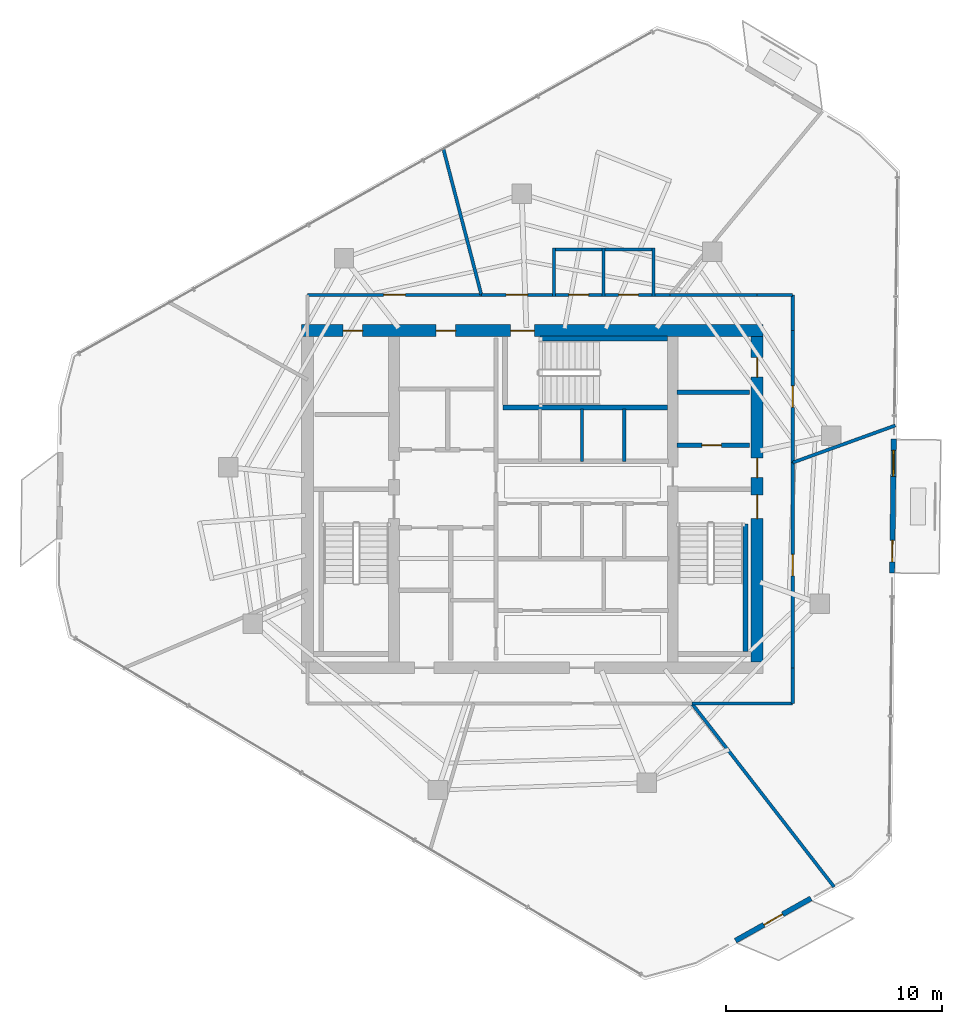
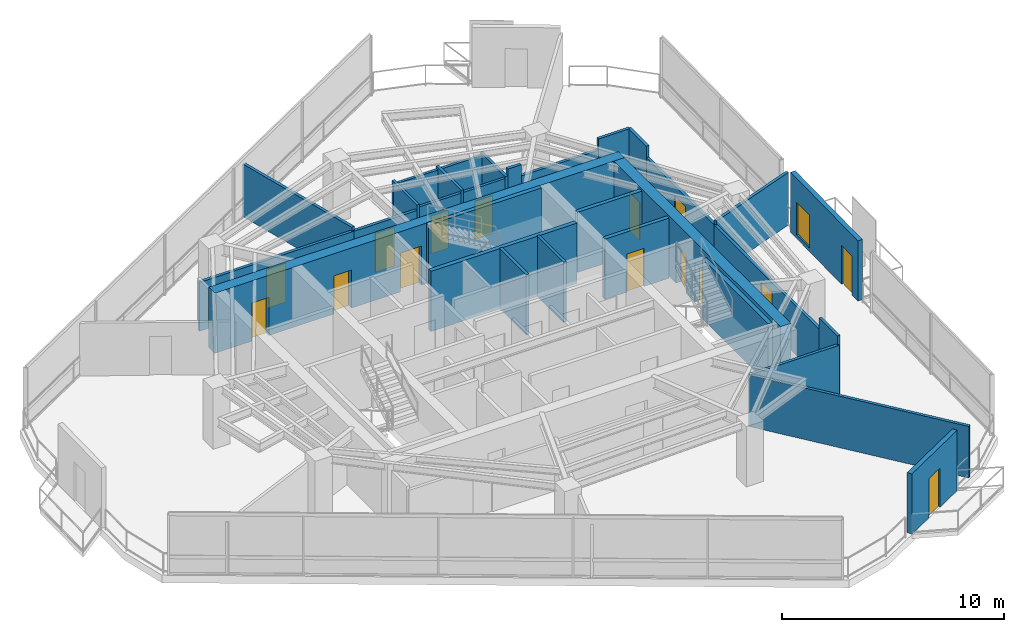
# One storey, part 15 of 18: 31 walls, 15 doors, 1 window, 16 openings.
"""IFC4 building model written with IfcOpenShell, lengths in metres."""

from ifc_helpers import new_model, si_unit, direction, frame, frame_2d, origin, place, context, subcontext, project, spatial, rectangle, extrude, material, layer, layer_set, type_object, element, fill, save


model = new_model("IFC4")

# Units and contexts
model_context = context("Model", 3, precision=1e-05, world=origin(), true_north=direction((0.0, 1.0)))
body_context = subcontext(model_context, "Body", "Model", "MODEL_VIEW")
ifc_project = project(units=[si_unit("LENGTHUNIT", "METRE"), si_unit("AREAUNIT", "SQUARE_METRE"), si_unit("VOLUMEUNIT", "CUBIC_METRE"), si_unit("PLANEANGLEUNIT", "RADIAN"), si_unit("MASSUNIT", "GRAM", prefix="KILO")], contexts=[model_context])

# Site, building, storey
site_placement = place(None, origin())
site = spatial("IfcSite", under=ifc_project, at=site_placement, CompositionType="ELEMENT")
building_placement = place(site_placement, origin())
building = spatial("IfcBuilding", under=site, at=building_placement, Name="Qarnah Convention Tower", CompositionType="ELEMENT")
storey_placement = place(building_placement, frame((0.0, 0.0, 177.0)))
storey = spatial("IfcBuildingStorey", under=building, at=storey_placement, Name="L47", CompositionType="ELEMENT", Elevation=177.0)

# Wall, openings, doors
ifc_material_1 = material(Name="Concrete C60/75", Category="concrete")
ifc_layer_1 = layer(ifc_material_1, 0.550048828125)
ifc_layer_set_1 = layer_set([ifc_layer_1], Name="Concrete C60/75")
wall_type_1 = type_object("IfcWallType", Name="WL-CORE-550", PredefinedType="SHEAR", material=ifc_layer_set_1)
wall_1_placement = place(storey_placement, frame((26.52490234375, 34.199951171875, 0.0), z_axis=(0.0, 0.0, 1.0), x_axis=(1.0, 0.0, 0.0)))
wall_1 = element("IfcWall", 1, at=wall_1_placement, inside=storey, type_object=wall_type_1, Name="L47 core north shear wall", PredefinedType="SHEAR", context=body_context, shape_type="SweptSolid", body=[
    extrude(rectangle(XDim=21.35009765625, YDim=0.550048828125, at=frame_2d((10.675048828125, 0.0))), origin(), (0.0, 0.0, 1.0), 3.320068359375),
])
opening_1_placement = place(wall_1_placement, frame((9.675048828125, 0.0, 0.0)))
opening_1 = element("IfcOpeningElement", 2, at=opening_1_placement, cuts=wall_1, Name="Opening D-4703", PredefinedType="OPENING", context=body_context, shape_type="SweptSolid", body=[
    extrude(rectangle(XDim=1.10009765625, YDim=2.14990234375, at=frame_2d((0.550048828125, 1.074951171875))), frame((0.0, 0.284912109375, 0.0), z_axis=(0.0, -1.0, 0.0), x_axis=(1.0, 0.0, 0.0)), (0.0, 0.0, 1.0), 0.570068359375),
])
opening_2_placement = place(wall_1_placement, frame((1.925048828125, 0.0, 0.0)))
opening_2 = element("IfcOpeningElement", 3, at=opening_2_placement, cuts=wall_1, Name="Opening D-4709", PredefinedType="OPENING", context=body_context, shape_type="SweptSolid", body=[
    extrude(rectangle(XDim=0.89990234375, YDim=2.10009765625, at=frame_2d((0.449951171875, 1.050048828125))), frame((0.0, 0.284912109375, 0.0), z_axis=(0.0, -1.0, 0.0), x_axis=(1.0, 0.0, 0.0)), (0.0, 0.0, 1.0), 0.570068359375),
])
opening_3_placement = place(wall_1_placement, frame((6.22509765625, 0.0, 0.0)))
opening_3 = element("IfcOpeningElement", 4, at=opening_3_placement, cuts=wall_1, Name="Opening D-4710", PredefinedType="OPENING", context=body_context, shape_type="SweptSolid", body=[
    extrude(rectangle(XDim=0.89990234375, YDim=2.10009765625, at=frame_2d((0.449951171875, 1.050048828125))), frame((0.0, 0.284912109375, 0.0), z_axis=(0.0, -1.0, 0.0), x_axis=(1.0, 0.0, 0.0)), (0.0, 0.0, 1.0), 0.570068359375),
])
ifc_material_2 = material(Name="Structural steel S355JR", Category="steel")
door_type_1 = type_object("IfcDoorType", Name="DT-RISER-900", OperationType="NOTDEFINED", PredefinedType="DOOR", material=ifc_material_2)
door_1_placement = place(opening_2_placement, origin())
door_1 = element("IfcDoor", 5, at=door_1_placement, inside=storey, type_object=door_type_1, Name="Door D-4709", OperationType="SINGLE_SWING_RIGHT", OverallHeight=2.10009765625, OverallWidth=0.89990234375, PredefinedType="DOOR", context=body_context, shape_type="SweptSolid", body=[
    extrude(rectangle(XDim=0.89990234375, YDim=2.10009765625, at=frame_2d((0.449951171875, 1.050048828125))), frame((0.0, 0.02490234375, 0.0), z_axis=(0.0, -1.0, 0.0), x_axis=(1.0, 0.0, 0.0)), (0.0, 0.0, 1.0), 0.050048828125),
])
fill(opening_2, door_1)
door_2_placement = place(opening_3_placement, origin())
door_2 = element("IfcDoor", 6, at=door_2_placement, inside=storey, type_object=door_type_1, Name="Door D-4710", OperationType="SINGLE_SWING_LEFT", OverallHeight=2.10009765625, OverallWidth=0.89990234375, PredefinedType="DOOR", context=body_context, shape_type="SweptSolid", body=[
    extrude(rectangle(XDim=0.89990234375, YDim=2.10009765625, at=frame_2d((0.449951171875, 1.050048828125))), frame((0.0, 0.02490234375, 0.0), z_axis=(0.0, -1.0, 0.0), x_axis=(1.0, 0.0, 0.0)), (0.0, 0.0, 1.0), 0.050048828125),
])
fill(opening_3, door_2)
door_type_2 = type_object("IfcDoorType", Name="DT-STAIR-1100", OperationType="NOTDEFINED", PredefinedType="DOOR", material=ifc_material_2)
door_3_placement = place(opening_1_placement, origin())
door_3 = element("IfcDoor", 7, at=door_3_placement, inside=storey, type_object=door_type_2, Name="Door D-4703", OperationType="SINGLE_SWING_RIGHT", OverallHeight=2.14990234375, OverallWidth=1.10009765625, PredefinedType="DOOR", context=body_context, shape_type="SweptSolid", body=[
    extrude(rectangle(XDim=1.10009765625, YDim=2.14990234375, at=frame_2d((0.550048828125, 1.074951171875))), frame((0.0, 0.02490234375, 0.0), z_axis=(0.0, -1.0, 0.0), x_axis=(1.0, 0.0, 0.0)), (0.0, 0.0, 1.0), 0.050048828125),
])
fill(opening_1, door_3)

wall_2_placement = place(storey_placement, frame((47.60009765625, 18.875, 0.0), z_axis=(0.0, 0.0, 1.0), x_axis=(0.0, 1.0, 0.0)))
wall_2 = element("IfcWall", 8, at=wall_2_placement, inside=storey, type_object=wall_type_1, Name="L47 core east shear wall", PredefinedType="SHEAR", context=body_context, shape_type="SweptSolid", body=[
    extrude(rectangle(XDim=15.050048828125, YDim=0.550048828125, at=frame_2d((7.52490234375, 0.0))), origin(), (0.0, 0.0, 1.0), 3.320068359375),
])
opening_4_placement = place(wall_2_placement, frame((6.625, 0.0, 0.0)))
opening_4 = element("IfcOpeningElement", 9, at=opening_4_placement, cuts=wall_2, Name="Opening D-4702", PredefinedType="OPENING", context=body_context, shape_type="SweptSolid", body=[
    extrude(rectangle(XDim=1.10009765625, YDim=2.14990234375, at=frame_2d((0.550048828125, 1.074951171875))), frame((0.0, 0.284912109375, 0.0), z_axis=(0.0, -1.0, 0.0), x_axis=(1.0, 0.0, 0.0)), (0.0, 0.0, 1.0), 0.570068359375),
])
opening_5_placement = place(wall_2_placement, frame((8.52490234375, 0.0, 0.0)))
opening_5 = element("IfcOpeningElement", 10, at=opening_5_placement, cuts=wall_2, Name="Opening D-4706", PredefinedType="OPENING", context=body_context, shape_type="SweptSolid", body=[
    extrude(rectangle(XDim=0.89990234375, YDim=2.10009765625, at=frame_2d((0.449951171875, 1.050048828125))), frame((0.0, 0.284912109375, 0.0), z_axis=(0.0, -1.0, 0.0), x_axis=(1.0, 0.0, 0.0)), (0.0, 0.0, 1.0), 0.570068359375),
])
opening_6_placement = place(wall_2_placement, frame((13.175048828125, 0.0, 0.0)))
opening_6 = element("IfcOpeningElement", 11, at=opening_6_placement, cuts=wall_2, Name="Opening D-4712", PredefinedType="OPENING", context=body_context, shape_type="SweptSolid", body=[
    extrude(rectangle(XDim=0.89990234375, YDim=2.10009765625, at=frame_2d((0.449951171875, 1.050048828125))), frame((0.0, 0.284912109375, 0.0), z_axis=(0.0, -1.0, 0.0), x_axis=(1.0, 0.0, 0.0)), (0.0, 0.0, 1.0), 0.570068359375),
])
door_4_placement = place(opening_5_placement, origin())
door_4 = element("IfcDoor", 12, at=door_4_placement, inside=storey, type_object=door_type_1, Name="Door D-4706", OperationType="SINGLE_SWING_LEFT", OverallHeight=2.10009765625, OverallWidth=0.89990234375, PredefinedType="DOOR", context=body_context, shape_type="SweptSolid", body=[
    extrude(rectangle(XDim=0.89990234375, YDim=2.10009765625, at=frame_2d((0.449951171875, 1.050048828125))), frame((0.0, 0.02490234375, 0.0), z_axis=(0.0, -1.0, 0.0), x_axis=(1.0, 0.0, 0.0)), (0.0, 0.0, 1.0), 0.050048828125),
])
fill(opening_5, door_4)
door_5_placement = place(opening_6_placement, origin())
door_5 = element("IfcDoor", 13, at=door_5_placement, inside=storey, type_object=door_type_1, Name="Door D-4712", OperationType="SINGLE_SWING_LEFT", OverallHeight=2.10009765625, OverallWidth=0.89990234375, PredefinedType="DOOR", context=body_context, shape_type="SweptSolid", body=[
    extrude(rectangle(XDim=0.89990234375, YDim=2.10009765625, at=frame_2d((0.449951171875, 1.050048828125))), frame((0.0, 0.02490234375, 0.0), z_axis=(0.0, -1.0, 0.0), x_axis=(1.0, 0.0, 0.0)), (0.0, 0.0, 1.0), 0.050048828125),
])
fill(opening_6, door_5)
door_6_placement = place(opening_4_placement, origin())
door_6 = element("IfcDoor", 14, at=door_6_placement, inside=storey, type_object=door_type_2, Name="Door D-4702", OperationType="SINGLE_SWING_LEFT", OverallHeight=2.14990234375, OverallWidth=1.10009765625, PredefinedType="DOOR", context=body_context, shape_type="SweptSolid", body=[
    extrude(rectangle(XDim=1.10009765625, YDim=2.14990234375, at=frame_2d((0.550048828125, 1.074951171875))), frame((0.0, 0.02490234375, 0.0), z_axis=(0.0, -1.0, 0.0), x_axis=(1.0, 0.0, 0.0)), (0.0, 0.0, 1.0), 0.050048828125),
])
fill(opening_4, door_6)

# Wall, opening, door
ifc_material_3 = material(Name="Concrete C45/55", Category="concrete")
ifc_layer_2 = layer(ifc_material_3, 0.199951171875)
ifc_layer_set_2 = layer_set([ifc_layer_2], Name="Concrete C45/55")
wall_type_2 = type_object("IfcWallType", Name="WL-CORE-PART-200", PredefinedType="SOLIDWALL", material=ifc_layer_set_2)
wall_3_placement = place(storey_placement, frame((43.89990234375, 28.89990234375, 0.0), z_axis=(0.0, 0.0, 1.0), x_axis=(1.0, 0.0, 0.0)))
wall_3 = element("IfcWall", 15, at=wall_3_placement, inside=storey, type_object=wall_type_2, Name="L47 interior wall IW-L47-EVSTN", PredefinedType="SOLIDWALL", context=body_context, shape_type="SweptSolid", body=[
    extrude(rectangle(XDim=3.35009765625, YDim=0.199951171875, at=frame_2d((1.675048828125, 0.0))), origin(), (0.0, 0.0, 1.0), 3.320068359375),
])
opening_7_placement = place(wall_3_placement, frame((1.14990234375, 0.0, 0.0)))
opening_7 = element("IfcOpeningElement", 16, at=opening_7_placement, cuts=wall_3, Name="Opening D-4711", PredefinedType="OPENING", context=body_context, shape_type="SweptSolid", body=[
    extrude(rectangle(XDim=0.89990234375, YDim=2.10009765625, at=frame_2d((0.449951171875, 1.050048828125))), frame((0.0, 0.10986328125, 0.0), z_axis=(0.0, -1.0, 0.0), x_axis=(1.0, 0.0, 0.0)), (0.0, 0.0, 1.0), 0.219970703125),
])
door_7_placement = place(opening_7_placement, origin())
door_7 = element("IfcDoor", 17, at=door_7_placement, inside=storey, type_object=door_type_1, Name="Door D-4711", OperationType="SINGLE_SWING_RIGHT", OverallHeight=2.10009765625, OverallWidth=0.89990234375, PredefinedType="DOOR", context=body_context, shape_type="SweptSolid", body=[
    extrude(rectangle(XDim=0.89990234375, YDim=2.10009765625, at=frame_2d((0.449951171875, 1.050048828125))), frame((0.0, 0.02490234375, 0.0), z_axis=(0.0, -1.0, 0.0), x_axis=(1.0, 0.0, 0.0)), (0.0, 0.0, 1.0), 0.050048828125),
])
fill(opening_7, door_7)

# Walls
wall_4_placement = place(storey_placement, frame((43.89990234375, 31.35009765625, 0.0), z_axis=(0.0, 0.0, 1.0), x_axis=(1.0, 0.0, 0.0)))
element("IfcWall", 18, at=wall_4_placement, inside=storey, type_object=wall_type_2, Name="L47 interior wall IW-L47-WTRN", PredefinedType="SOLIDWALL", context=body_context, shape_type="SweptSolid", body=[
    extrude(rectangle(XDim=3.35009765625, YDim=0.199951171875, at=frame_2d((1.675048828125, 0.0))), origin(), (0.0, 0.0, 1.0), 3.320068359375),
])
ifc_layer_3 = layer(ifc_material_1, 0.219970703125)
ifc_layer_set_3 = layer_set([ifc_layer_3], Name="Concrete C60/75")
wall_type_3 = type_object("IfcWallType", Name="WL-CORE-STAIR-220", PredefinedType="SHEAR", material=ifc_layer_set_3)
wall_5_placement = place(storey_placement, frame((47.06005859375, 19.35009765625, 0.0), z_axis=(0.0, 0.0, 1.0), x_axis=(0.0, 1.0, 0.0)))
element("IfcWall", 19, at=wall_5_placement, inside=storey, type_object=wall_type_3, Name="L47 stair shaft shear wall SW-L47-ST2E", PredefinedType="SHEAR", context=body_context, shape_type="SweptSolid", body=[
    extrude(rectangle(XDim=5.89990234375, YDim=0.219970703125, at=frame_2d((2.949951171875, 0.0))), origin(), (0.0, 0.0, 1.0), 3.320068359375),
])
wall_6_placement = place(storey_placement, frame((35.840087890625, 30.639892578125, 0.0), z_axis=(0.0, 0.0, 1.0), x_axis=(1.0, 0.0, 0.0)))
element("IfcWall", 20, at=wall_6_placement, inside=storey, type_object=wall_type_3, Name="L47 stair shaft shear wall SW-L47-ST3S", PredefinedType="SHEAR", context=body_context, shape_type="SweptSolid", body=[
    extrude(rectangle(XDim=7.60986328125, YDim=0.219970703125, at=frame_2d((3.804931640625, 0.0))), origin(), (0.0, 0.0, 1.0), 3.320068359375),
])
wall_7_placement = place(storey_placement, frame((37.550048828125, 33.840087890625, 0.0), z_axis=(0.0, 0.0, 1.0), x_axis=(1.0, 0.0, 0.0)))
element("IfcWall", 21, at=wall_7_placement, inside=storey, type_object=wall_type_3, Name="L47 stair shaft shear wall SW-L47-ST3N", PredefinedType="SHEAR", context=body_context, shape_type="SweptSolid", body=[
    extrude(rectangle(XDim=5.89990234375, YDim=0.219970703125, at=frame_2d((2.949951171875, 0.0))), origin(), (0.0, 0.0, 1.0), 3.320068359375),
])

# Wall, opening, door
ifc_material_4 = material(Name="Precast concrete C45/55", Category="concrete")
ifc_layer_4 = layer(ifc_material_4, 0.239990234375)
ifc_layer_set_4 = layer_set([ifc_layer_4], Name="Precast concrete C45/55")
wall_type_4 = type_object("IfcWallType", Name="WL-EXT-BAL-240", PredefinedType="SOLIDWALL", material=ifc_layer_set_4)
wall_8_placement = place(storey_placement, frame((50.091064453125, 7.928955078125, 0.0), z_axis=(0.0, 0.0, 1.0), x_axis=(-0.872270690653, -0.489023355504, 0.0)))
wall_8 = element("IfcWall", 22, at=wall_8_placement, inside=storey, type_object=wall_type_4, Name="L47 loggia threshold wall BAL-L47-C3", PredefinedType="SOLIDWALL", context=body_context, shape_type="SweptSolid", body=[
    extrude(rectangle(XDim=4.0, YDim=0.239990234375, at=frame_2d((2.0, 0.0))), origin(), (0.0, 0.0, 1.0), 3.320068359375),
])
opening_8_placement = place(wall_8_placement, frame((1.5, 0.0, 0.0)))
opening_8 = element("IfcOpeningElement", 23, at=opening_8_placement, cuts=wall_8, Name="Opening BD-4703", PredefinedType="OPENING", context=body_context, shape_type="SweptSolid", body=[
    extrude(rectangle(XDim=1.0, YDim=2.14990234375, at=frame_2d((0.5, 1.074951171875))), frame((0.0, 0.1298828125, 0.0), z_axis=(0.0, -1.0, 0.0), x_axis=(1.0, 0.0, 0.0)), (0.0, 0.0, 1.0), 0.260009765625),
])
ifc_material_5 = material(Name="Black anodised aluminium", Category="aluminium")
door_type_3 = type_object("IfcDoorType", Name="DT-BAL-1000", OperationType="NOTDEFINED", PredefinedType="DOOR", material=ifc_material_5)
door_8_placement = place(opening_8_placement, origin())
door_8 = element("IfcDoor", 24, at=door_8_placement, inside=storey, type_object=door_type_3, Name="L47 balcony terrace door BAL-L47-C3", OperationType="SINGLE_SWING_LEFT", OverallHeight=2.14990234375, OverallWidth=1.0, PredefinedType="DOOR", context=body_context, shape_type="SweptSolid", body=[
    extrude(rectangle(XDim=1.0, YDim=2.14990234375, at=frame_2d((0.5, 1.074951171875))), frame((0.0, 0.02490234375, 0.0), z_axis=(0.0, -1.0, 0.0), x_axis=(1.0, 0.0, 0.0)), (0.0, 0.0, 1.0), 0.050048828125),
])
fill(opening_8, door_8)

# Wall, openings, door, window
wall_9_placement = place(storey_placement, frame((53.925048828125, 29.176025390625, 0.0), z_axis=(0.0, 0.0, 1.0), x_axis=(-0.012599905406, -0.999920618041, 0.0)))
wall_9 = element("IfcWall", 25, at=wall_9_placement, inside=storey, type_object=wall_type_4, Name="L47 loggia threshold wall SG-L47", PredefinedType="SOLIDWALL", context=body_context, shape_type="SweptSolid", body=[
    extrude(rectangle(XDim=6.200439453125, YDim=0.239990234375, at=frame_2d((3.10009765625, 0.0))), origin(), (0.0, 0.0, 1.0), 3.320068359375),
])
opening_9_placement = place(wall_9_placement, frame((4.679931640625, 0.0, 0.0)))
opening_9 = element("IfcOpeningElement", 26, at=opening_9_placement, cuts=wall_9, Name="Opening BD-4704", PredefinedType="OPENING", context=body_context, shape_type="SweptSolid", body=[
    extrude(rectangle(XDim=1.0, YDim=2.14990234375, at=frame_2d((0.5, 1.074951171875))), frame((0.0, 0.1298828125, 0.0), z_axis=(0.0, -1.0, 0.0), x_axis=(1.0, 0.0, 0.0)), (0.0, 0.0, 1.0), 0.260009765625),
])
opening_10_placement = place(wall_9_placement, frame((0.52001953125, 0.0, 0.199951171875)))
opening_10 = element("IfcOpeningElement", 27, at=opening_10_placement, cuts=wall_9, Name="Opening WN5", PredefinedType="OPENING", context=body_context, shape_type="SweptSolid", body=[
    extrude(rectangle(XDim=1.199951171875, YDim=1.800048828125, at=frame_2d((0.60009765625, 0.89990234375))), frame((0.0, 0.1298828125, 0.0), z_axis=(0.0, -1.0, 0.0), x_axis=(1.0, 0.0, 0.0)), (0.0, 0.0, 1.0), 0.260009765625),
])
door_9_placement = place(opening_9_placement, origin())
door_9 = element("IfcDoor", 28, at=door_9_placement, inside=storey, type_object=door_type_3, Name="L47 balcony terrace door SG-L47", OperationType="SINGLE_SWING_RIGHT", OverallHeight=2.14990234375, OverallWidth=1.0, PredefinedType="DOOR", context=body_context, shape_type="SweptSolid", body=[
    extrude(rectangle(XDim=1.0, YDim=2.14990234375, at=frame_2d((0.5, 1.074951171875))), frame((0.0, 0.02490234375, 0.0), z_axis=(0.0, -1.0, 0.0), x_axis=(1.0, 0.0, 0.0)), (0.0, 0.0, 1.0), 0.050048828125),
])
fill(opening_9, door_9)
ifc_material_6 = material(Name="Tempered Low-E dark glass", Category="glass")
window_type = type_object("IfcWindowType", Name="WT-BAL-1200X1800", PartitioningType="SINGLE_PANEL", PredefinedType="WINDOW", material=ifc_material_6)
window_placement = place(opening_10_placement, origin())
window = element("IfcWindow", 29, at=window_placement, inside=storey, type_object=window_type, Name="Window BW-SG-L47", OverallHeight=1.800048828125, OverallWidth=1.199951171875, PartitioningType="SINGLE_PANEL", PredefinedType="WINDOW", context=body_context, shape_type="SweptSolid", body=[
    extrude(rectangle(XDim=1.199951171875, YDim=1.800048828125, at=frame_2d((0.60009765625, 0.89990234375))), frame((0.0, 0.030029296875, 0.0), z_axis=(0.0, -1.0, 0.0), x_axis=(1.0, 0.0, 0.0)), (0.0, 0.0, 1.0), 0.06005859375),
])
fill(opening_10, window)

# Walls
ifc_material_7 = material(Name="Gypsum partition board")
ifc_layer_5 = layer(ifc_material_7, 0.14990234375)
ifc_layer_set_5 = layer_set([ifc_layer_5], Name="Gypsum partition board")
wall_type_5 = type_object("IfcWallType", Name="WL-SUITE-150", PredefinedType="PARTITIONING", material=ifc_layer_set_5)
for number, where, z_axis, x_axis, name in (
    (30, (39.5, 28.14990234375, 0.0), (0.0, 0.0, 1.0), (0.0, 1.0, 0.0), "L47 interior wall IW-L47-PHD2"),
    (31, (41.449951171875, 28.14990234375, 0.0), (0.0, 0.0, 1.0), (0.0, 1.0, 0.0), "L47 interior wall IW-L47-PHD3"),
):
    element("IfcWall", number, at=place(storey_placement, frame(where, z_axis=z_axis, x_axis=x_axis)), inside=storey, type_object=wall_type_5, Name=name, PredefinedType="PARTITIONING", context=body_context, shape_type="SweptSolid", body=[
        extrude(rectangle(XDim=2.43017578125, YDim=0.14990234375, at=frame_2d((1.215087890625, 0.0))), origin(), (0.0, 0.0, 1.0), 3.320068359375),
    ])
wall_10_placement = place(storey_placement, frame((43.573974609375, 35.85009765625, 0.0), z_axis=(0.0, 0.0, 1.0), x_axis=(1.0, 0.0, 0.0)))
element("IfcWall", 32, at=wall_10_placement, inside=storey, type_object=wall_type_5, Name="L47 interior wall IW-L47-R-09", PredefinedType="PARTITIONING", context=body_context, shape_type="SweptSolid", body=[
    extrude(rectangle(XDim=4.026123046875, YDim=0.14990234375, at=frame_2d((2.01318359375, 0.0))), origin(), (0.0, 0.0, 1.0), 2.697021484375),
])
wall_11_placement = place(storey_placement, frame((47.60009765625, 35.85009765625, 0.0), z_axis=(0.0, 0.0, 1.0), x_axis=(1.0, 0.0, 0.0)))
element("IfcWall", 33, at=wall_11_placement, inside=storey, type_object=wall_type_5, Name="L47 interior wall IW-L47-R-10", PredefinedType="PARTITIONING", context=body_context, shape_type="SweptSolid", body=[
    extrude(rectangle(XDim=1.64990234375, YDim=0.14990234375, at=frame_2d((0.824951171875, 0.0))), origin(), (0.0, 0.0, 1.0), 3.320068359375),
])
wall_12_placement = place(storey_placement, frame((49.25, 35.85009765625, 0.0), z_axis=(0.0, 0.0, 1.0), x_axis=(0.0, -1.0, 0.0)))
element("IfcWall", 34, at=wall_12_placement, inside=storey, type_object=wall_type_5, Name="L47 interior wall IW-L47-R-11", PredefinedType="PARTITIONING", context=body_context, shape_type="SweptSolid", body=[
    extrude(rectangle(XDim=1.650146484375, YDim=0.14990234375, at=frame_2d((0.8251953125, 0.0))), origin(), (0.0, 0.0, 1.0), 3.320068359375),
])

# Wall, opening, door
wall_13_placement = place(storey_placement, frame((49.25, 34.199951171875, 0.0), z_axis=(0.0, 0.0, 1.0), x_axis=(0.0, -1.0, 0.0)))
wall_13 = element("IfcWall", 35, at=wall_13_placement, inside=storey, type_object=wall_type_5, Name="L47 interior wall IW-L47-R-12", PredefinedType="PARTITIONING", context=body_context, shape_type="SweptSolid", body=[
    extrude(rectangle(XDim=6.10595703125, YDim=0.14990234375, at=frame_2d((3.052978515625, 0.0))), origin(), (0.0, 0.0, 1.0), 2.697021484375),
])
opening_11_placement = place(wall_13_placement, frame((2.552978515625, 0.0, 0.0)))
opening_11 = element("IfcOpeningElement", 36, at=opening_11_placement, cuts=wall_13, Name="Opening D-4720", PredefinedType="OPENING", context=body_context, shape_type="SweptSolid", body=[
    extrude(rectangle(XDim=1.0, YDim=2.14990234375, at=frame_2d((0.5, 1.074951171875))), frame((0.0, 0.0849609375, 0.0), z_axis=(0.0, -1.0, 0.0), x_axis=(1.0, 0.0, 0.0)), (0.0, 0.0, 1.0), 0.169921875),
])
ifc_material_8 = material(Name="Oak timber veneer", Category="wood")
door_type_4 = type_object("IfcDoorType", Name="DT-OFFICE-1000", OperationType="NOTDEFINED", PredefinedType="DOOR", material=ifc_material_8)
door_10_placement = place(opening_11_placement, origin())
door_10 = element("IfcDoor", 37, at=door_10_placement, inside=storey, type_object=door_type_4, Name="Door D-4720", OperationType="SINGLE_SWING_LEFT", OverallHeight=2.14990234375, OverallWidth=1.0, PredefinedType="DOOR", context=body_context, shape_type="SweptSolid", body=[
    extrude(rectangle(XDim=1.0, YDim=2.14990234375, at=frame_2d((0.5, 1.074951171875))), frame((0.0, 0.02490234375, 0.0), z_axis=(0.0, -1.0, 0.0), x_axis=(1.0, 0.0, 0.0)), (0.0, 0.0, 1.0), 0.050048828125),
])
fill(opening_11, door_10)

# Walls
wall_14_placement = place(storey_placement, frame((49.25, 28.093994140625, 0.0), z_axis=(0.0, 0.0, 1.0), x_axis=(0.940392359165, 0.340091474201, 0.0)))
element("IfcWall", 38, at=wall_14_placement, inside=storey, type_object=wall_type_5, Name="L47 interior wall IW-L47-R-13", PredefinedType="PARTITIONING", context=body_context, shape_type="SweptSolid", body=[
    extrude(rectangle(XDim=5.0458984375, YDim=0.14990234375, at=frame_2d((2.52294921875, 0.0))), origin(), (0.0, 0.0, 1.0), 2.905029296875),
])
wall_15_placement = place(storey_placement, frame((33.073974609375, 42.64794921875, 0.0), z_axis=(0.0, 0.0, 1.0), x_axis=(0.251977614861, -0.967733063199, 0.0)))
element("IfcWall", 39, at=wall_15_placement, inside=storey, type_object=wall_type_5, Name="L47 interior wall IW-L47-R-14", PredefinedType="PARTITIONING", context=body_context, shape_type="SweptSolid", body=[
    extrude(rectangle(XDim=7.0244140625, YDim=0.14990234375, at=frame_2d((3.51220703125, 0.0))), origin(), (0.0, 0.0, 1.0), 2.905029296875),
])

# Wall, opening, door
wall_16_placement = place(storey_placement, frame((34.843994140625, 35.85009765625, 0.0), z_axis=(0.0, 0.0, 1.0), x_axis=(1.0, 0.0, 0.0)))
wall_16 = element("IfcWall", 40, at=wall_16_placement, inside=storey, type_object=wall_type_5, Name="L47 interior wall IW-L47-R-15", PredefinedType="PARTITIONING", context=body_context, shape_type="SweptSolid", body=[
    extrude(rectangle(XDim=3.285888671875, YDim=0.14990234375, at=frame_2d((1.64306640625, 0.0))), origin(), (0.0, 0.0, 1.0), 2.697021484375),
])
opening_12_placement = place(wall_16_placement, frame((1.14306640625, 0.0, 0.0)))
opening_12 = element("IfcOpeningElement", 41, at=opening_12_placement, cuts=wall_16, Name="Opening D-4721", PredefinedType="OPENING", context=body_context, shape_type="SweptSolid", body=[
    extrude(rectangle(XDim=1.0, YDim=2.14990234375, at=frame_2d((0.5, 1.074951171875))), frame((0.0, 0.0849609375, 0.0), z_axis=(0.0, -1.0, 0.0), x_axis=(1.0, 0.0, 0.0)), (0.0, 0.0, 1.0), 0.169921875),
])
door_11_placement = place(opening_12_placement, origin())
door_11 = element("IfcDoor", 42, at=door_11_placement, inside=storey, type_object=door_type_4, Name="Door D-4721", OperationType="SINGLE_SWING_RIGHT", OverallHeight=2.14990234375, OverallWidth=1.0, PredefinedType="DOOR", context=body_context, shape_type="SweptSolid", body=[
    extrude(rectangle(XDim=1.0, YDim=2.14990234375, at=frame_2d((0.5, 1.074951171875))), frame((0.0, 0.02490234375, 0.0), z_axis=(0.0, -1.0, 0.0), x_axis=(1.0, 0.0, 0.0)), (0.0, 0.0, 1.0), 0.050048828125),
])
fill(opening_12, door_11)

# Wall
wall_17_placement = place(storey_placement, frame((42.8701171875, 35.85009765625, 0.0), z_axis=(0.0, 0.0, 1.0), x_axis=(1.0, 0.0, 0.0)))
element("IfcWall", 43, at=wall_17_placement, inside=storey, type_object=wall_type_5, Name="L47 interior wall IW-L47-R-16", PredefinedType="PARTITIONING", context=body_context, shape_type="SweptSolid", body=[
    extrude(rectangle(XDim=0.703857421875, YDim=0.14990234375, at=frame_2d((0.35205078125, 0.0))), origin(), (0.0, 0.0, 1.0), 3.320068359375),
])

# Wall, opening, door
wall_18_placement = place(storey_placement, frame((26.800048828125, 35.85009765625, 0.0), z_axis=(0.0, 0.0, 1.0), x_axis=(1.0, 0.0, 0.0)))
wall_18 = element("IfcWall", 44, at=wall_18_placement, inside=storey, type_object=wall_type_5, Name="L47 interior wall IW-L47-R-19", PredefinedType="PARTITIONING", context=body_context, shape_type="SweptSolid", body=[
    extrude(rectangle(XDim=8.0439453125, YDim=0.14990234375, at=frame_2d((4.02197265625, 0.0))), origin(), (0.0, 0.0, 1.0), 2.697021484375),
])
opening_13_placement = place(wall_18_placement, frame((3.52197265625, 0.0, 0.0)))
opening_13 = element("IfcOpeningElement", 45, at=opening_13_placement, cuts=wall_18, Name="Opening D-4722", PredefinedType="OPENING", context=body_context, shape_type="SweptSolid", body=[
    extrude(rectangle(XDim=1.0, YDim=2.14990234375, at=frame_2d((0.5, 1.074951171875))), frame((0.0, 0.0849609375, 0.0), z_axis=(0.0, -1.0, 0.0), x_axis=(1.0, 0.0, 0.0)), (0.0, 0.0, 1.0), 0.169921875),
])
door_12_placement = place(opening_13_placement, origin())
door_12 = element("IfcDoor", 46, at=door_12_placement, inside=storey, type_object=door_type_4, Name="Door D-4722", OperationType="SINGLE_SWING_LEFT", OverallHeight=2.14990234375, OverallWidth=1.0, PredefinedType="DOOR", context=body_context, shape_type="SweptSolid", body=[
    extrude(rectangle(XDim=1.0, YDim=2.14990234375, at=frame_2d((0.5, 1.074951171875))), frame((0.0, 0.02490234375, 0.0), z_axis=(0.0, -1.0, 0.0), x_axis=(1.0, 0.0, 0.0)), (0.0, 0.0, 1.0), 0.050048828125),
])
fill(opening_13, door_12)

# Wall
wall_19_placement = place(storey_placement, frame((51.1630859375, 8.4599609375, 0.0), z_axis=(0.0, 0.0, 1.0), x_axis=(-0.61259119033, 0.790399919996, 0.0)))
element("IfcWall", 47, at=wall_19_placement, inside=storey, type_object=wall_type_5, Name="L47 interior wall IW-L47-R-24", PredefinedType="PARTITIONING", context=body_context, shape_type="SweptSolid", body=[
    extrude(rectangle(XDim=10.741455078125, YDim=0.14990234375, at=frame_2d((5.37060546875, 0.0))), origin(), (0.0, 0.0, 1.0), 2.841064453125),
])

# Wall, opening, door
wall_20_placement = place(storey_placement, frame((49.25, 28.093994140625, 0.0), z_axis=(0.0, 0.0, 1.0), x_axis=(0.0, -1.0, 0.0)))
wall_20 = element("IfcWall", 48, at=wall_20_placement, inside=storey, type_object=wall_type_5, Name="L47 interior wall IW-L47-R-26", PredefinedType="PARTITIONING", context=body_context, shape_type="SweptSolid", body=[
    extrude(rectangle(XDim=9.493896484375, YDim=0.14990234375, at=frame_2d((4.7470703125, 0.0))), origin(), (0.0, 0.0, 1.0), 2.697021484375),
])
opening_14_placement = place(wall_20_placement, frame((4.2470703125, 0.0, 0.0)))
opening_14 = element("IfcOpeningElement", 49, at=opening_14_placement, cuts=wall_20, Name="Opening D-4726", PredefinedType="OPENING", context=body_context, shape_type="SweptSolid", body=[
    extrude(rectangle(XDim=1.0, YDim=2.14990234375, at=frame_2d((0.5, 1.074951171875))), frame((0.0, 0.0849609375, 0.0), z_axis=(0.0, -1.0, 0.0), x_axis=(1.0, 0.0, 0.0)), (0.0, 0.0, 1.0), 0.169921875),
])
door_13_placement = place(opening_14_placement, origin())
door_13 = element("IfcDoor", 50, at=door_13_placement, inside=storey, type_object=door_type_4, Name="Door D-4726", OperationType="SINGLE_SWING_LEFT", OverallHeight=2.14990234375, OverallWidth=1.0, PredefinedType="DOOR", context=body_context, shape_type="SweptSolid", body=[
    extrude(rectangle(XDim=1.0, YDim=2.14990234375, at=frame_2d((0.5, 1.074951171875))), frame((0.0, 0.02490234375, 0.0), z_axis=(0.0, -1.0, 0.0), x_axis=(1.0, 0.0, 0.0)), (0.0, 0.0, 1.0), 0.050048828125),
])
fill(opening_14, door_13)

# Walls
wall_21_placement = place(storey_placement, frame((49.25, 18.60009765625, 0.0), z_axis=(0.0, 0.0, 1.0), x_axis=(0.0, -1.0, 0.0)))
element("IfcWall", 51, at=wall_21_placement, inside=storey, type_object=wall_type_5, Name="L47 interior wall IW-L47-R-27", PredefinedType="PARTITIONING", context=body_context, shape_type="SweptSolid", body=[
    extrude(rectangle(XDim=1.650146484375, YDim=0.14990234375, at=frame_2d((0.8251953125, 0.0))), origin(), (0.0, 0.0, 1.0), 3.320068359375),
])
wall_22_placement = place(storey_placement, frame((49.25, 16.949951171875, 0.0), z_axis=(0.0, 0.0, 1.0), x_axis=(-1.0, 0.0, 0.0)))
element("IfcWall", 52, at=wall_22_placement, inside=storey, type_object=wall_type_5, Name="L47 interior wall IW-L47-R-28", PredefinedType="PARTITIONING", context=body_context, shape_type="SweptSolid", body=[
    extrude(rectangle(XDim=4.6669921875, YDim=0.14990234375, at=frame_2d((2.33349609375, 0.0))), origin(), (0.0, 0.0, 1.0), 2.841064453125),
])

# Wall, opening, door
ifc_layer_6 = layer(ifc_material_7, 0.139892578125)
ifc_layer_set_6 = layer_set([ifc_layer_6], Name="Gypsum partition board")
wall_type_6 = type_object("IfcWallType", Name="WL-WET-140", PredefinedType="PARTITIONING", material=ifc_layer_set_6)
wall_23_placement = place(storey_placement, frame((38.1298828125, 35.85009765625, 0.0), z_axis=(0.0, 0.0, 1.0), x_axis=(1.0, 0.0, 0.0)))
wall_23 = element("IfcWall", 53, at=wall_23_placement, inside=storey, type_object=wall_type_6, Name="L47 interior wall IW-L47-WCM-1", PredefinedType="PARTITIONING", context=body_context, shape_type="SweptSolid", body=[
    extrude(rectangle(XDim=2.440185546875, YDim=0.139892578125, at=frame_2d((1.22021484375, 0.0))), origin(), (0.0, 0.0, 1.0), 2.841064453125),
])
opening_15_placement = place(wall_23_placement, frame((0.760009765625, 0.0, 0.0)))
opening_15 = element("IfcOpeningElement", 54, at=opening_15_placement, cuts=wall_23, Name="Opening D-4718", PredefinedType="OPENING", context=body_context, shape_type="SweptSolid", body=[
    extrude(rectangle(XDim=0.919921875, YDim=2.10009765625, at=frame_2d((0.4599609375, 1.050048828125))), frame((0.0, 0.079833984375, 0.0), z_axis=(0.0, -1.0, 0.0), x_axis=(1.0, 0.0, 0.0)), (0.0, 0.0, 1.0), 0.159912109375),
])
door_type_5 = type_object("IfcDoorType", Name="DT-WC-920", OperationType="NOTDEFINED", PredefinedType="DOOR", material=ifc_material_8)
door_14_placement = place(opening_15_placement, origin())
door_14 = element("IfcDoor", 55, at=door_14_placement, inside=storey, type_object=door_type_5, Name="Door D-4718", OperationType="SINGLE_SWING_LEFT", OverallHeight=2.10009765625, OverallWidth=0.919921875, PredefinedType="DOOR", context=body_context, shape_type="SweptSolid", body=[
    extrude(rectangle(XDim=0.919921875, YDim=2.10009765625, at=frame_2d((0.4599609375, 1.050048828125))), frame((0.0, 0.02490234375, 0.0), z_axis=(0.0, -1.0, 0.0), x_axis=(1.0, 0.0, 0.0)), (0.0, 0.0, 1.0), 0.050048828125),
])
fill(opening_15, door_14)

# Walls
wall_24_placement = place(storey_placement, frame((40.5, 35.780029296875, 0.0), z_axis=(0.0, 0.0, 1.0), x_axis=(0.0, 1.0, 0.0)))
element("IfcWall", 56, at=wall_24_placement, inside=storey, type_object=wall_type_6, Name="L47 interior wall IW-L47-WCM-2", PredefinedType="PARTITIONING", context=body_context, shape_type="SweptSolid", body=[
    extrude(rectangle(XDim=2.239990234375, YDim=0.139892578125, at=frame_2d((1.1201171875, 0.0))), origin(), (0.0, 0.0, 1.0), 2.992919921875),
])
wall_25_placement = place(storey_placement, frame((40.570068359375, 37.949951171875, 0.0), z_axis=(0.0, 0.0, 1.0), x_axis=(-1.0, 0.0, 0.0)))
element("IfcWall", 57, at=wall_25_placement, inside=storey, type_object=wall_type_6, Name="L47 interior wall IW-L47-WCM-3", PredefinedType="PARTITIONING", context=body_context, shape_type="SweptSolid", body=[
    extrude(rectangle(XDim=2.440185546875, YDim=0.139892578125, at=frame_2d((1.22021484375, 0.0))), origin(), (0.0, 0.0, 1.0), 2.841064453125),
])
wall_26_placement = place(storey_placement, frame((38.199951171875, 38.02001953125, 0.0), z_axis=(0.0, 0.0, 1.0), x_axis=(0.0, -1.0, 0.0)))
element("IfcWall", 58, at=wall_26_placement, inside=storey, type_object=wall_type_6, Name="L47 interior wall IW-L47-WCM-4", PredefinedType="PARTITIONING", context=body_context, shape_type="SweptSolid", body=[
    extrude(rectangle(XDim=2.239990234375, YDim=0.139892578125, at=frame_2d((1.1201171875, 0.0))), origin(), (0.0, 0.0, 1.0), 2.992919921875),
])

# Wall, opening, door
wall_27_placement = place(storey_placement, frame((40.429931640625, 35.85009765625, 0.0), z_axis=(0.0, 0.0, 1.0), x_axis=(1.0, 0.0, 0.0)))
wall_27 = element("IfcWall", 59, at=wall_27_placement, inside=storey, type_object=wall_type_6, Name="L47 interior wall IW-L47-WCF-1", PredefinedType="PARTITIONING", context=body_context, shape_type="SweptSolid", body=[
    extrude(rectangle(XDim=2.440185546875, YDim=0.139892578125, at=frame_2d((1.22021484375, 0.0))), origin(), (0.0, 0.0, 1.0), 2.841064453125),
])
opening_16_placement = place(wall_27_placement, frame((0.760009765625, 0.0, 0.0)))
opening_16 = element("IfcOpeningElement", 60, at=opening_16_placement, cuts=wall_27, Name="Opening D-4719", PredefinedType="OPENING", context=body_context, shape_type="SweptSolid", body=[
    extrude(rectangle(XDim=0.919921875, YDim=2.10009765625, at=frame_2d((0.4599609375, 1.050048828125))), frame((0.0, 0.079833984375, 0.0), z_axis=(0.0, -1.0, 0.0), x_axis=(1.0, 0.0, 0.0)), (0.0, 0.0, 1.0), 0.159912109375),
])
door_15_placement = place(opening_16_placement, origin())
door_15 = element("IfcDoor", 61, at=door_15_placement, inside=storey, type_object=door_type_5, Name="Door D-4719", OperationType="SINGLE_SWING_RIGHT", OverallHeight=2.10009765625, OverallWidth=0.919921875, PredefinedType="DOOR", context=body_context, shape_type="SweptSolid", body=[
    extrude(rectangle(XDim=0.919921875, YDim=2.10009765625, at=frame_2d((0.4599609375, 1.050048828125))), frame((0.0, 0.02490234375, 0.0), z_axis=(0.0, -1.0, 0.0), x_axis=(1.0, 0.0, 0.0)), (0.0, 0.0, 1.0), 0.050048828125),
])
fill(opening_16, door_15)

# Walls
wall_28_placement = place(storey_placement, frame((42.800048828125, 35.780029296875, 0.0), z_axis=(0.0, 0.0, 1.0), x_axis=(0.0, 1.0, 0.0)))
element("IfcWall", 62, at=wall_28_placement, inside=storey, type_object=wall_type_6, Name="L47 interior wall IW-L47-WCF-2", PredefinedType="PARTITIONING", context=body_context, shape_type="SweptSolid", body=[
    extrude(rectangle(XDim=2.239990234375, YDim=0.139892578125, at=frame_2d((1.1201171875, 0.0))), origin(), (0.0, 0.0, 1.0), 2.948974609375),
])
wall_29_placement = place(storey_placement, frame((42.8701171875, 37.949951171875, 0.0), z_axis=(0.0, 0.0, 1.0), x_axis=(-1.0, 0.0, 0.0)))
element("IfcWall", 63, at=wall_29_placement, inside=storey, type_object=wall_type_6, Name="L47 interior wall IW-L47-WCF-3", PredefinedType="PARTITIONING", context=body_context, shape_type="SweptSolid", body=[
    extrude(rectangle(XDim=2.440185546875, YDim=0.139892578125, at=frame_2d((1.22021484375, 0.0))), origin(), (0.0, 0.0, 1.0), 2.841064453125),
])

save(model, "model.ifc")
